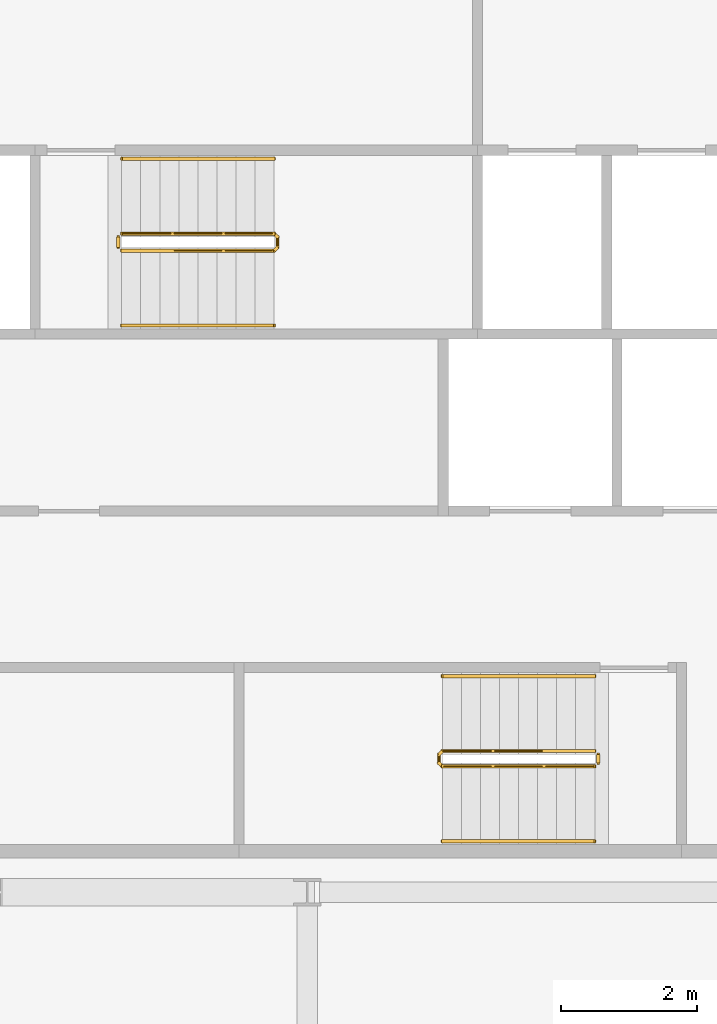
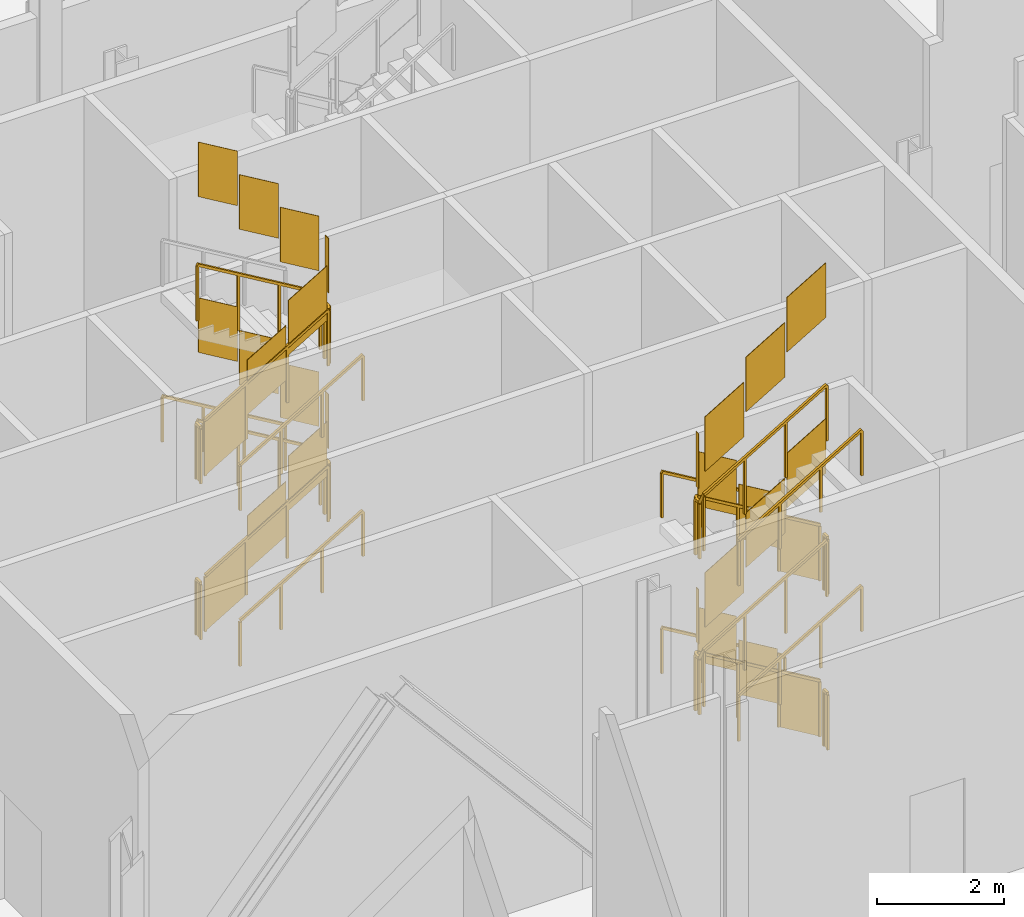
# One storey, part 17 of 18: 15 railings.
"""IFC4 building model written with IfcOpenShell, lengths in metres."""

from ifc_helpers import new_model, si_unit, direction, frame, origin, origin_2d, place, context, subcontext, project, spatial, polyline, rectangle, outline, extrude, material, type_object, element, save


model = new_model("IFC4")

# Units and contexts
model_context = context("Model", 3, precision=1e-05, world=origin(), true_north=direction((0.0, 1.0)))
body_context = subcontext(model_context, "Body", "Model", "MODEL_VIEW")
ifc_project = project(units=[si_unit("LENGTHUNIT", "METRE"), si_unit("AREAUNIT", "SQUARE_METRE"), si_unit("VOLUMEUNIT", "CUBIC_METRE"), si_unit("PLANEANGLEUNIT", "RADIAN"), si_unit("MASSUNIT", "GRAM", prefix="KILO")], contexts=[model_context])

# Site, building, storey
site_placement = place(None, origin())
site = spatial("IfcSite", under=ifc_project, at=site_placement, CompositionType="ELEMENT")
building_placement = place(site_placement, origin())
building = spatial("IfcBuilding", under=site, at=building_placement, Name="Cairn Pilgrim Tower", CompositionType="ELEMENT")
storey_placement = place(building_placement, frame((0.0, 0.0, 204.60009765625)))
storey = spatial("IfcBuildingStorey", under=building, at=storey_placement, Name="L52", CompositionType="ELEMENT", Elevation=204.60009765625)

# Railings
ifc_material = material(Name="Painted steel", Category="steel")
railing_type_1 = type_object("IfcRailingType", Name="STAIR GUARD 1100", PredefinedType="GUARDRAIL", material=ifc_material)
railing_1_placement = place(storey_placement, frame((11.425048828125, -3.925048828125, 0.16650390625)))
element("IfcRailing", 1, at=railing_1_placement, inside=storey, type_object=railing_type_1, Name="L52 ST-A stair guard 1", PredefinedType="GUARDRAIL", context=body_context, shape_type="SweptSolid", body=[
    extrude(rectangle(XDim=0.048095703125, YDim=0.048095703125, at=origin_2d()), frame((0.0, 0.0, 1.076171875), z_axis=(-0.859264461869, 0.0, 0.511531606619), x_axis=(0.0, -1.0, 0.0)), (0.0, 0.0, 1.0), 2.60693359375),
    extrude(rectangle(XDim=0.048095703125, YDim=0.048095703125, at=origin_2d()), frame((-2.239990234375, 0.0, 2.40966796875), z_axis=(-0.707106781187, -0.707106781187, 0.0), x_axis=(0.707106781187, -0.707106781187, 0.0)), (0.0, 0.0, 1.0), 0.07080078125),
    extrude(rectangle(XDim=0.048095703125, YDim=0.048095703125, at=origin_2d()), frame((-2.2900390625, -0.050048828125, 2.40966796875), z_axis=(0.0, -1.0, 0.0), x_axis=(1.0, 0.0, 0.0)), (0.0, 0.0, 1.0), 0.125),
    extrude(rectangle(XDim=0.048095703125, YDim=0.048095703125, at=origin_2d()), frame((-2.2900390625, -0.175048828125, 2.40966796875), z_axis=(0.276732813696, -0.275382897532, 0.920642824102), x_axis=(0.705375805398, 0.708833529934, 0.0)), (0.0, 0.0, 1.0), 0.180908203125),
    extrude(rectangle(XDim=0.048095703125, YDim=0.048095703125, at=origin_2d()), frame((-2.239990234375, -0.224853515625, 2.576171875), z_axis=(0.859264461869, 0.0, 0.511531606619), x_axis=(0.0, 1.0, 0.0)), (0.0, 0.0, 1.0), 2.60693359375),
    extrude(rectangle(XDim=0.0419921875, YDim=0.0419921875, at=origin_2d()), origin(), (0.0, 0.0, 1.0), 1.052001953125),
    extrude(rectangle(XDim=0.0419921875, YDim=0.0419921875, at=origin_2d()), frame((-0.74658203125, 0.0, 0.444580078125)), (0.0, 0.0, 1.0), 1.052001953125),
    extrude(rectangle(XDim=0.0419921875, YDim=0.0419921875, at=origin_2d()), frame((-1.493408203125, 0.0, 0.888916015625)), (0.0, 0.0, 1.0), 1.052001953125),
    extrude(rectangle(XDim=0.0419921875, YDim=0.0419921875, at=origin_2d()), frame((-2.239990234375, 0.0, 1.33349609375)), (0.0, 0.0, 1.0), 1.052001953125),
    extrude(rectangle(XDim=0.0419921875, YDim=0.0419921875, at=origin_2d()), frame((-2.2900390625, -0.050048828125, 1.33349609375)), (0.0, 0.0, 1.0), 1.052001953125),
    extrude(rectangle(XDim=0.0419921875, YDim=0.0419921875, at=origin_2d()), frame((-2.2900390625, -0.175048828125, 1.33349609375)), (0.0, 0.0, 1.0), 1.052001953125),
    extrude(rectangle(XDim=0.0419921875, YDim=0.0419921875, at=origin_2d()), frame((-2.239990234375, -0.224853515625, 1.5)), (0.0, 0.0, 1.0), 1.052001953125),
    extrude(rectangle(XDim=0.0419921875, YDim=0.0419921875, at=origin_2d()), frame((-1.493408203125, -0.224853515625, 1.944580078125)), (0.0, 0.0, 1.0), 1.052001953125),
    extrude(rectangle(XDim=0.0419921875, YDim=0.0419921875, at=origin_2d()), frame((-0.74658203125, -0.224853515625, 2.388916015625)), (0.0, 0.0, 1.0), 1.052001953125),
    extrude(rectangle(XDim=0.0419921875, YDim=0.0419921875, at=origin_2d()), frame((0.0, -0.224853515625, 2.83349609375)), (0.0, 0.0, 1.0), 1.052001953125),
    extrude(outline(polyline([(0.02099609375, 0.012451171875), (0.7255859375, 0.431884765625), (0.7255859375, 1.48388671875), (0.02099609375, 1.064453125), (0.02099609375, 0.012451171875)])), frame((0.0, -0.005859375, 0.0), z_axis=(0.0, 1.0, 0.0), x_axis=(-1.0, 0.0, 0.0)), (0.0, 0.0, 1.0), 0.011962890625),
    extrude(outline(polyline([(0.02099609375, 0.45703125), (0.7255859375, 0.87646484375), (0.7255859375, 1.928466796875), (0.02099609375, 1.509033203125), (0.02099609375, 0.45703125)])), frame((-0.74658203125, -0.005859375, 0.444580078125), z_axis=(0.0, 1.0, 0.0), x_axis=(-1.0, 0.0, 0.0)), (0.0, 0.0, 1.0), 0.011962890625),
    extrude(outline(polyline([(0.02099609375, 0.901611328125), (0.7255859375, 1.321044921875), (0.7255859375, 2.373046875), (0.02099609375, 1.95361328125), (0.02099609375, 0.901611328125)])), frame((-1.493408203125, -0.005859375, 0.888916015625), z_axis=(0.0, 1.0, 0.0), x_axis=(-1.0, 0.0, 0.0)), (0.0, 0.0, 1.0), 0.011962890625),
    extrude(outline(polyline([(0.02099609375, 1.33349609375), (0.10400390625, 1.33349609375), (0.10400390625, 2.385498046875), (0.02099609375, 2.385498046875), (0.02099609375, 1.33349609375)])), frame((-2.2841796875, -0.050048828125, 1.33349609375), z_axis=(-1.0, 0.0, 0.0), x_axis=(0.0, -1.0, 0.0)), (0.0, 0.0, 1.0), 0.011962890625),
    extrude(outline(polyline([(0.02099609375, 1.512451171875), (0.7255859375, 1.931884765625), (0.7255859375, 2.98388671875), (0.02099609375, 2.564453125), (0.02099609375, 1.512451171875)])), frame((-2.239990234375, -0.21875, 1.5), z_axis=(0.0, -1.0, 0.0), x_axis=(1.0, 0.0, 0.0)), (0.0, 0.0, 1.0), 0.011962890625),
    extrude(outline(polyline([(0.02099609375, 1.95703125), (0.7255859375, 2.37646484375), (0.7255859375, 3.428466796875), (0.02099609375, 3.009033203125), (0.02099609375, 1.95703125)])), frame((-1.493408203125, -0.21875, 1.944580078125), z_axis=(0.0, -1.0, 0.0), x_axis=(1.0, 0.0, 0.0)), (0.0, 0.0, 1.0), 0.011962890625),
    extrude(outline(polyline([(0.02099609375, 2.401611328125), (0.7255859375, 2.821044921875), (0.7255859375, 3.873046875), (0.02099609375, 3.45361328125), (0.02099609375, 2.401611328125)])), frame((-0.74658203125, -0.21875, 2.388916015625), z_axis=(0.0, -1.0, 0.0), x_axis=(1.0, 0.0, 0.0)), (0.0, 0.0, 1.0), 0.011962890625),
])
railing_2_placement = place(storey_placement, frame((11.47509765625, -3.97509765625, 3.0)))
element("IfcRailing", 2, at=railing_2_placement, inside=storey, type_object=railing_type_1, Name="L52 ST-A stair guard 2", PredefinedType="GUARDRAIL", context=body_context, shape_type="SweptSolid", body=[
    extrude(rectangle(XDim=0.048095703125, YDim=0.048095703125, at=origin_2d()), frame((0.0, 0.0, 1.076171875), z_axis=(0.0, -1.0, 0.0), x_axis=(1.0, 0.0, 0.0)), (0.0, 0.0, 1.0), 0.125),
    extrude(rectangle(XDim=0.0419921875, YDim=0.0419921875, at=origin_2d()), origin(), (0.0, 0.0, 1.0), 1.052001953125),
    extrude(rectangle(XDim=0.0419921875, YDim=0.0419921875, at=origin_2d()), frame((0.0, -0.125, 0.0)), (0.0, 0.0, 1.0), 1.052001953125),
    extrude(outline(polyline([(0.02099609375, 0.0), (0.10400390625, 0.0), (0.10400390625, 1.052001953125), (0.02099609375, 1.052001953125), (0.02099609375, 0.0)])), frame((0.005859375, 0.0, 0.0), z_axis=(-1.0, 0.0, 0.0), x_axis=(0.0, -1.0, 0.0)), (0.0, 0.0, 1.0), 0.011962890625),
])
railing_3_placement = place(storey_placement, frame((11.425048828125, -3.925048828125, 3.16650390625)))
element("IfcRailing", 3, at=railing_3_placement, inside=storey, type_object=railing_type_1, Name="L52 ST-A stair guard 3", PredefinedType="GUARDRAIL", context=body_context, shape_type="SweptSolid", body=[
    extrude(rectangle(XDim=0.048095703125, YDim=0.048095703125, at=origin_2d()), frame((0.0, 0.0, 1.076171875), z_axis=(-0.859264461869, 0.0, 0.511531606619), x_axis=(0.0, -1.0, 0.0)), (0.0, 0.0, 1.0), 2.60693359375),
    extrude(rectangle(XDim=0.048095703125, YDim=0.048095703125, at=origin_2d()), frame((-2.239990234375, 0.0, 2.40966796875), z_axis=(-0.707106781187, -0.707106781187, 0.0), x_axis=(0.707106781187, -0.707106781187, 0.0)), (0.0, 0.0, 1.0), 0.07080078125),
    extrude(rectangle(XDim=0.048095703125, YDim=0.048095703125, at=origin_2d()), frame((-2.2900390625, -0.050048828125, 2.40966796875), z_axis=(0.0, -1.0, 0.0), x_axis=(1.0, 0.0, 0.0)), (0.0, 0.0, 1.0), 0.125),
    extrude(rectangle(XDim=0.048095703125, YDim=0.048095703125, at=origin_2d()), frame((-2.2900390625, -0.175048828125, 2.40966796875), z_axis=(0.276732813696, -0.275382897532, 0.920642824102), x_axis=(0.705375805398, 0.708833529934, 0.0)), (0.0, 0.0, 1.0), 0.180908203125),
    extrude(rectangle(XDim=0.048095703125, YDim=0.048095703125, at=origin_2d()), frame((-2.239990234375, -0.224853515625, 2.576171875), z_axis=(0.859264461869, 0.0, 0.511531606619), x_axis=(0.0, 1.0, 0.0)), (0.0, 0.0, 1.0), 2.60693359375),
    extrude(rectangle(XDim=0.0419921875, YDim=0.0419921875, at=origin_2d()), origin(), (0.0, 0.0, 1.0), 1.052001953125),
    extrude(rectangle(XDim=0.0419921875, YDim=0.0419921875, at=origin_2d()), frame((-0.74658203125, 0.0, 0.444580078125)), (0.0, 0.0, 1.0), 1.052001953125),
    extrude(rectangle(XDim=0.0419921875, YDim=0.0419921875, at=origin_2d()), frame((-1.493408203125, 0.0, 0.888916015625)), (0.0, 0.0, 1.0), 1.052001953125),
    extrude(rectangle(XDim=0.0419921875, YDim=0.0419921875, at=origin_2d()), frame((-2.239990234375, 0.0, 1.33349609375)), (0.0, 0.0, 1.0), 1.052001953125),
    extrude(rectangle(XDim=0.0419921875, YDim=0.0419921875, at=origin_2d()), frame((-2.2900390625, -0.050048828125, 1.33349609375)), (0.0, 0.0, 1.0), 1.052001953125),
    extrude(rectangle(XDim=0.0419921875, YDim=0.0419921875, at=origin_2d()), frame((-2.2900390625, -0.175048828125, 1.33349609375)), (0.0, 0.0, 1.0), 1.052001953125),
    extrude(rectangle(XDim=0.0419921875, YDim=0.0419921875, at=origin_2d()), frame((-2.239990234375, -0.224853515625, 1.5)), (0.0, 0.0, 1.0), 1.052001953125),
    extrude(rectangle(XDim=0.0419921875, YDim=0.0419921875, at=origin_2d()), frame((-1.493408203125, -0.224853515625, 1.944580078125)), (0.0, 0.0, 1.0), 1.052001953125),
    extrude(rectangle(XDim=0.0419921875, YDim=0.0419921875, at=origin_2d()), frame((-0.74658203125, -0.224853515625, 2.388916015625)), (0.0, 0.0, 1.0), 1.052001953125),
    extrude(rectangle(XDim=0.0419921875, YDim=0.0419921875, at=origin_2d()), frame((0.0, -0.224853515625, 2.83349609375)), (0.0, 0.0, 1.0), 1.052001953125),
    extrude(outline(polyline([(0.02099609375, 0.012451171875), (0.7255859375, 0.431884765625), (0.7255859375, 1.48388671875), (0.02099609375, 1.064453125), (0.02099609375, 0.012451171875)])), frame((0.0, -0.005859375, 0.0), z_axis=(0.0, 1.0, 0.0), x_axis=(-1.0, 0.0, 0.0)), (0.0, 0.0, 1.0), 0.011962890625),
    extrude(outline(polyline([(0.02099609375, 0.45703125), (0.7255859375, 0.87646484375), (0.7255859375, 1.928466796875), (0.02099609375, 1.509033203125), (0.02099609375, 0.45703125)])), frame((-0.74658203125, -0.005859375, 0.444580078125), z_axis=(0.0, 1.0, 0.0), x_axis=(-1.0, 0.0, 0.0)), (0.0, 0.0, 1.0), 0.011962890625),
    extrude(outline(polyline([(0.02099609375, 0.901611328125), (0.7255859375, 1.321044921875), (0.7255859375, 2.373046875), (0.02099609375, 1.95361328125), (0.02099609375, 0.901611328125)])), frame((-1.493408203125, -0.005859375, 0.888916015625), z_axis=(0.0, 1.0, 0.0), x_axis=(-1.0, 0.0, 0.0)), (0.0, 0.0, 1.0), 0.011962890625),
    extrude(outline(polyline([(0.02099609375, 1.33349609375), (0.10400390625, 1.33349609375), (0.10400390625, 2.385498046875), (0.02099609375, 2.385498046875), (0.02099609375, 1.33349609375)])), frame((-2.2841796875, -0.050048828125, 1.33349609375), z_axis=(-1.0, 0.0, 0.0), x_axis=(0.0, -1.0, 0.0)), (0.0, 0.0, 1.0), 0.011962890625),
    extrude(outline(polyline([(0.02099609375, 1.512451171875), (0.7255859375, 1.931884765625), (0.7255859375, 2.98388671875), (0.02099609375, 2.564453125), (0.02099609375, 1.512451171875)])), frame((-2.239990234375, -0.21875, 1.5), z_axis=(0.0, -1.0, 0.0), x_axis=(1.0, 0.0, 0.0)), (0.0, 0.0, 1.0), 0.011962890625),
    extrude(outline(polyline([(0.02099609375, 1.95703125), (0.7255859375, 2.37646484375), (0.7255859375, 3.428466796875), (0.02099609375, 3.009033203125), (0.02099609375, 1.95703125)])), frame((-1.493408203125, -0.21875, 1.944580078125), z_axis=(0.0, -1.0, 0.0), x_axis=(1.0, 0.0, 0.0)), (0.0, 0.0, 1.0), 0.011962890625),
    extrude(outline(polyline([(0.02099609375, 2.401611328125), (0.7255859375, 2.821044921875), (0.7255859375, 3.873046875), (0.02099609375, 3.45361328125), (0.02099609375, 2.401611328125)])), frame((-0.74658203125, -0.21875, 2.388916015625), z_axis=(0.0, -1.0, 0.0), x_axis=(1.0, 0.0, 0.0)), (0.0, 0.0, 1.0), 0.011962890625),
])
railing_4_placement = place(storey_placement, frame((11.47509765625, -3.97509765625, 0.0)))
element("IfcRailing", 4, at=railing_4_placement, inside=storey, type_object=railing_type_1, Name="L52 ST-A stair guard 4", PredefinedType="GUARDRAIL", context=body_context, shape_type="SweptSolid", body=[
    extrude(rectangle(XDim=0.048095703125, YDim=0.048095703125, at=origin_2d()), frame((0.0, 0.0, 1.076171875), z_axis=(0.0, -1.0, 0.0), x_axis=(1.0, 0.0, 0.0)), (0.0, 0.0, 1.0), 0.125),
    extrude(rectangle(XDim=0.0419921875, YDim=0.0419921875, at=origin_2d()), origin(), (0.0, 0.0, 1.0), 1.052001953125),
    extrude(rectangle(XDim=0.0419921875, YDim=0.0419921875, at=origin_2d()), frame((0.0, -0.125, 0.0)), (0.0, 0.0, 1.0), 1.052001953125),
    extrude(outline(polyline([(0.02099609375, 0.0), (0.10400390625, 0.0), (0.10400390625, 1.052001953125), (0.02099609375, 1.052001953125), (0.02099609375, 0.0)])), frame((0.005859375, 0.0, 0.0), z_axis=(-1.0, 0.0, 0.0), x_axis=(0.0, -1.0, 0.0)), (0.0, 0.0, 1.0), 0.011962890625),
])
railing_5_placement = place(storey_placement, frame((4.47509765625, 3.425048828125, 0.16650390625)))
element("IfcRailing", 5, at=railing_5_placement, inside=storey, type_object=railing_type_1, Name="L52 ST-B stair guard 1", PredefinedType="GUARDRAIL", context=body_context, shape_type="SweptSolid", body=[
    extrude(rectangle(XDim=0.048095703125, YDim=0.048095703125, at=origin_2d()), frame((0.0, 0.0, 1.076171875), z_axis=(0.859264461869, 0.0, 0.511531606619), x_axis=(0.0, 1.0, 0.0)), (0.0, 0.0, 1.0), 2.60693359375),
    extrude(rectangle(XDim=0.048095703125, YDim=0.048095703125, at=origin_2d()), frame((2.239990234375, 0.0, 2.40966796875), z_axis=(0.705375805398, 0.708833529934, 0.0), x_axis=(-0.708833529934, 0.705375805398, 0.0)), (0.0, 0.0, 1.0), 0.070556640625),
    extrude(rectangle(XDim=0.048095703125, YDim=0.048095703125, at=origin_2d()), frame((2.289794921875, 0.050048828125, 2.40966796875), z_axis=(0.0, 1.0, 0.0), x_axis=(-1.0, 0.0, 0.0)), (0.0, 0.0, 1.0), 0.14990234375),
    extrude(rectangle(XDim=0.048095703125, YDim=0.048095703125, at=origin_2d()), frame((2.289794921875, 0.199951171875, 2.40966796875), z_axis=(-0.275382897532, 0.276732813696, 0.920642824102), x_axis=(-0.708833529934, -0.705375805398, 0.0)), (0.0, 0.0, 1.0), 0.180908203125),
    extrude(rectangle(XDim=0.048095703125, YDim=0.048095703125, at=origin_2d()), frame((2.239990234375, 0.25, 2.576171875), z_axis=(-0.859264461869, 0.0, 0.511531606619), x_axis=(0.0, -1.0, 0.0)), (0.0, 0.0, 1.0), 2.60693359375),
    extrude(rectangle(XDim=0.0419921875, YDim=0.0419921875, at=origin_2d()), origin(), (0.0, 0.0, 1.0), 1.052001953125),
    extrude(rectangle(XDim=0.0419921875, YDim=0.0419921875, at=origin_2d()), frame((0.74658203125, 0.0, 0.444580078125)), (0.0, 0.0, 1.0), 1.052001953125),
    extrude(rectangle(XDim=0.0419921875, YDim=0.0419921875, at=origin_2d()), frame((1.493408203125, 0.0, 0.888916015625)), (0.0, 0.0, 1.0), 1.052001953125),
    extrude(rectangle(XDim=0.0419921875, YDim=0.0419921875, at=origin_2d()), frame((2.239990234375, 0.0, 1.33349609375)), (0.0, 0.0, 1.0), 1.052001953125),
    extrude(rectangle(XDim=0.0419921875, YDim=0.0419921875, at=origin_2d()), frame((2.289794921875, 0.050048828125, 1.33349609375)), (0.0, 0.0, 1.0), 1.052001953125),
    extrude(rectangle(XDim=0.0419921875, YDim=0.0419921875, at=origin_2d()), frame((2.289794921875, 0.199951171875, 1.33349609375)), (0.0, 0.0, 1.0), 1.052001953125),
    extrude(rectangle(XDim=0.0419921875, YDim=0.0419921875, at=origin_2d()), frame((2.239990234375, 0.25, 1.5)), (0.0, 0.0, 1.0), 1.052001953125),
    extrude(rectangle(XDim=0.0419921875, YDim=0.0419921875, at=origin_2d()), frame((1.493408203125, 0.25, 1.944580078125)), (0.0, 0.0, 1.0), 1.052001953125),
    extrude(rectangle(XDim=0.0419921875, YDim=0.0419921875, at=origin_2d()), frame((0.74658203125, 0.25, 2.388916015625)), (0.0, 0.0, 1.0), 1.052001953125),
    extrude(rectangle(XDim=0.0419921875, YDim=0.0419921875, at=origin_2d()), frame((0.0, 0.25, 2.83349609375)), (0.0, 0.0, 1.0), 1.052001953125),
    extrude(outline(polyline([(0.02099609375, 0.012451171875), (0.7255859375, 0.431884765625), (0.7255859375, 1.48388671875), (0.02099609375, 1.064453125), (0.02099609375, 0.012451171875)])), frame((0.0, 0.005859375, 0.0), z_axis=(0.0, -1.0, 0.0), x_axis=(1.0, 0.0, 0.0)), (0.0, 0.0, 1.0), 0.011962890625),
    extrude(outline(polyline([(0.02099609375, 0.45703125), (0.7255859375, 0.87646484375), (0.7255859375, 1.928466796875), (0.02099609375, 1.509033203125), (0.02099609375, 0.45703125)])), frame((0.74658203125, 0.005859375, 0.444580078125), z_axis=(0.0, -1.0, 0.0), x_axis=(1.0, 0.0, 0.0)), (0.0, 0.0, 1.0), 0.011962890625),
    extrude(outline(polyline([(0.02099609375, 0.901611328125), (0.7255859375, 1.321044921875), (0.7255859375, 2.373046875), (0.02099609375, 1.95361328125), (0.02099609375, 0.901611328125)])), frame((1.493408203125, 0.005859375, 0.888916015625), z_axis=(0.0, -1.0, 0.0), x_axis=(1.0, 0.0, 0.0)), (0.0, 0.0, 1.0), 0.011962890625),
    extrude(outline(polyline([(0.02099609375, 1.33349609375), (0.12890625, 1.33349609375), (0.12890625, 2.385498046875), (0.02099609375, 2.385498046875), (0.02099609375, 1.33349609375)])), frame((2.28369140625, 0.050048828125, 1.33349609375), z_axis=(1.0, 0.0, 0.0), x_axis=(0.0, 1.0, 0.0)), (0.0, 0.0, 1.0), 0.011962890625),
    extrude(outline(polyline([(0.02099609375, 1.512451171875), (0.7255859375, 1.931884765625), (0.7255859375, 2.98388671875), (0.02099609375, 2.564453125), (0.02099609375, 1.512451171875)])), frame((2.239990234375, 0.244140625, 1.5), z_axis=(0.0, 1.0, 0.0), x_axis=(-1.0, 0.0, 0.0)), (0.0, 0.0, 1.0), 0.011962890625),
    extrude(outline(polyline([(0.02099609375, 1.95703125), (0.7255859375, 2.37646484375), (0.7255859375, 3.428466796875), (0.02099609375, 3.009033203125), (0.02099609375, 1.95703125)])), frame((1.493408203125, 0.244140625, 1.944580078125), z_axis=(0.0, 1.0, 0.0), x_axis=(-1.0, 0.0, 0.0)), (0.0, 0.0, 1.0), 0.011962890625),
    extrude(outline(polyline([(0.02099609375, 2.401611328125), (0.7255859375, 2.821044921875), (0.7255859375, 3.873046875), (0.02099609375, 3.45361328125), (0.02099609375, 2.401611328125)])), frame((0.74658203125, 0.244140625, 2.388916015625), z_axis=(0.0, 1.0, 0.0), x_axis=(-1.0, 0.0, 0.0)), (0.0, 0.0, 1.0), 0.011962890625),
])
railing_6_placement = place(storey_placement, frame((4.425048828125, 3.47509765625, 3.0)))
element("IfcRailing", 6, at=railing_6_placement, inside=storey, type_object=railing_type_1, Name="L52 ST-B stair guard 2", PredefinedType="GUARDRAIL", context=body_context, shape_type="SweptSolid", body=[
    extrude(rectangle(XDim=0.048095703125, YDim=0.048095703125, at=origin_2d()), frame((0.0, 0.0, 1.076171875), z_axis=(0.0, 1.0, 0.0), x_axis=(-1.0, 0.0, 0.0)), (0.0, 0.0, 1.0), 0.14990234375),
    extrude(rectangle(XDim=0.0419921875, YDim=0.0419921875, at=origin_2d()), origin(), (0.0, 0.0, 1.0), 1.052001953125),
    extrude(rectangle(XDim=0.0419921875, YDim=0.0419921875, at=origin_2d()), frame((0.0, 0.14990234375, 0.0)), (0.0, 0.0, 1.0), 1.052001953125),
    extrude(outline(polyline([(0.02099609375, 0.0), (0.12890625, 0.0), (0.12890625, 1.052001953125), (0.02099609375, 1.052001953125), (0.02099609375, 0.0)])), frame((-0.005859375, 0.0, 0.0), z_axis=(1.0, 0.0, 0.0), x_axis=(0.0, 1.0, 0.0)), (0.0, 0.0, 1.0), 0.011962890625),
])
railing_7_placement = place(storey_placement, frame((4.47509765625, 3.425048828125, 3.16650390625)))
element("IfcRailing", 7, at=railing_7_placement, inside=storey, type_object=railing_type_1, Name="L52 ST-B stair guard 3", PredefinedType="GUARDRAIL", context=body_context, shape_type="SweptSolid", body=[
    extrude(rectangle(XDim=0.048095703125, YDim=0.048095703125, at=origin_2d()), frame((0.0, 0.0, 1.076171875), z_axis=(0.859264461869, 0.0, 0.511531606619), x_axis=(0.0, 1.0, 0.0)), (0.0, 0.0, 1.0), 2.60693359375),
    extrude(rectangle(XDim=0.048095703125, YDim=0.048095703125, at=origin_2d()), frame((2.239990234375, 0.0, 2.40966796875), z_axis=(0.705375805398, 0.708833529934, 0.0), x_axis=(-0.708833529934, 0.705375805398, 0.0)), (0.0, 0.0, 1.0), 0.070556640625),
    extrude(rectangle(XDim=0.048095703125, YDim=0.048095703125, at=origin_2d()), frame((2.289794921875, 0.050048828125, 2.40966796875), z_axis=(0.0, 1.0, 0.0), x_axis=(-1.0, 0.0, 0.0)), (0.0, 0.0, 1.0), 0.14990234375),
    extrude(rectangle(XDim=0.048095703125, YDim=0.048095703125, at=origin_2d()), frame((2.289794921875, 0.199951171875, 2.40966796875), z_axis=(-0.275382897532, 0.276732813696, 0.920642824102), x_axis=(-0.708833529934, -0.705375805398, 0.0)), (0.0, 0.0, 1.0), 0.180908203125),
    extrude(rectangle(XDim=0.048095703125, YDim=0.048095703125, at=origin_2d()), frame((2.239990234375, 0.25, 2.576171875), z_axis=(-0.859264461869, 0.0, 0.511531606619), x_axis=(0.0, -1.0, 0.0)), (0.0, 0.0, 1.0), 2.60693359375),
    extrude(rectangle(XDim=0.0419921875, YDim=0.0419921875, at=origin_2d()), origin(), (0.0, 0.0, 1.0), 1.052001953125),
    extrude(rectangle(XDim=0.0419921875, YDim=0.0419921875, at=origin_2d()), frame((0.74658203125, 0.0, 0.444580078125)), (0.0, 0.0, 1.0), 1.052001953125),
    extrude(rectangle(XDim=0.0419921875, YDim=0.0419921875, at=origin_2d()), frame((1.493408203125, 0.0, 0.888916015625)), (0.0, 0.0, 1.0), 1.052001953125),
    extrude(rectangle(XDim=0.0419921875, YDim=0.0419921875, at=origin_2d()), frame((2.239990234375, 0.0, 1.33349609375)), (0.0, 0.0, 1.0), 1.052001953125),
    extrude(rectangle(XDim=0.0419921875, YDim=0.0419921875, at=origin_2d()), frame((2.289794921875, 0.050048828125, 1.33349609375)), (0.0, 0.0, 1.0), 1.052001953125),
    extrude(rectangle(XDim=0.0419921875, YDim=0.0419921875, at=origin_2d()), frame((2.289794921875, 0.199951171875, 1.33349609375)), (0.0, 0.0, 1.0), 1.052001953125),
    extrude(rectangle(XDim=0.0419921875, YDim=0.0419921875, at=origin_2d()), frame((2.239990234375, 0.25, 1.5)), (0.0, 0.0, 1.0), 1.052001953125),
    extrude(rectangle(XDim=0.0419921875, YDim=0.0419921875, at=origin_2d()), frame((1.493408203125, 0.25, 1.944580078125)), (0.0, 0.0, 1.0), 1.052001953125),
    extrude(rectangle(XDim=0.0419921875, YDim=0.0419921875, at=origin_2d()), frame((0.74658203125, 0.25, 2.388916015625)), (0.0, 0.0, 1.0), 1.052001953125),
    extrude(rectangle(XDim=0.0419921875, YDim=0.0419921875, at=origin_2d()), frame((0.0, 0.25, 2.83349609375)), (0.0, 0.0, 1.0), 1.052001953125),
    extrude(outline(polyline([(0.02099609375, 0.012451171875), (0.7255859375, 0.431884765625), (0.7255859375, 1.48388671875), (0.02099609375, 1.064453125), (0.02099609375, 0.012451171875)])), frame((0.0, 0.005859375, 0.0), z_axis=(0.0, -1.0, 0.0), x_axis=(1.0, 0.0, 0.0)), (0.0, 0.0, 1.0), 0.011962890625),
    extrude(outline(polyline([(0.02099609375, 0.45703125), (0.7255859375, 0.87646484375), (0.7255859375, 1.928466796875), (0.02099609375, 1.509033203125), (0.02099609375, 0.45703125)])), frame((0.74658203125, 0.005859375, 0.444580078125), z_axis=(0.0, -1.0, 0.0), x_axis=(1.0, 0.0, 0.0)), (0.0, 0.0, 1.0), 0.011962890625),
    extrude(outline(polyline([(0.02099609375, 0.901611328125), (0.7255859375, 1.321044921875), (0.7255859375, 2.373046875), (0.02099609375, 1.95361328125), (0.02099609375, 0.901611328125)])), frame((1.493408203125, 0.005859375, 0.888916015625), z_axis=(0.0, -1.0, 0.0), x_axis=(1.0, 0.0, 0.0)), (0.0, 0.0, 1.0), 0.011962890625),
    extrude(outline(polyline([(0.02099609375, 1.33349609375), (0.12890625, 1.33349609375), (0.12890625, 2.385498046875), (0.02099609375, 2.385498046875), (0.02099609375, 1.33349609375)])), frame((2.28369140625, 0.050048828125, 1.33349609375), z_axis=(1.0, 0.0, 0.0), x_axis=(0.0, 1.0, 0.0)), (0.0, 0.0, 1.0), 0.011962890625),
    extrude(outline(polyline([(0.02099609375, 1.512451171875), (0.7255859375, 1.931884765625), (0.7255859375, 2.98388671875), (0.02099609375, 2.564453125), (0.02099609375, 1.512451171875)])), frame((2.239990234375, 0.244140625, 1.5), z_axis=(0.0, 1.0, 0.0), x_axis=(-1.0, 0.0, 0.0)), (0.0, 0.0, 1.0), 0.011962890625),
    extrude(outline(polyline([(0.02099609375, 1.95703125), (0.7255859375, 2.37646484375), (0.7255859375, 3.428466796875), (0.02099609375, 3.009033203125), (0.02099609375, 1.95703125)])), frame((1.493408203125, 0.244140625, 1.944580078125), z_axis=(0.0, 1.0, 0.0), x_axis=(-1.0, 0.0, 0.0)), (0.0, 0.0, 1.0), 0.011962890625),
    extrude(outline(polyline([(0.02099609375, 2.401611328125), (0.7255859375, 2.821044921875), (0.7255859375, 3.873046875), (0.02099609375, 3.45361328125), (0.02099609375, 2.401611328125)])), frame((0.74658203125, 0.244140625, 2.388916015625), z_axis=(0.0, 1.0, 0.0), x_axis=(-1.0, 0.0, 0.0)), (0.0, 0.0, 1.0), 0.011962890625),
])
railing_8_placement = place(storey_placement, frame((4.425048828125, 3.47509765625, 0.0)))
element("IfcRailing", 8, at=railing_8_placement, inside=storey, type_object=railing_type_1, Name="L52 ST-B stair guard 4", PredefinedType="GUARDRAIL", context=body_context, shape_type="SweptSolid", body=[
    extrude(rectangle(XDim=0.048095703125, YDim=0.048095703125, at=origin_2d()), frame((0.0, 0.0, 1.076171875), z_axis=(0.0, 1.0, 0.0), x_axis=(-1.0, 0.0, 0.0)), (0.0, 0.0, 1.0), 0.14990234375),
    extrude(rectangle(XDim=0.0419921875, YDim=0.0419921875, at=origin_2d()), origin(), (0.0, 0.0, 1.0), 1.052001953125),
    extrude(rectangle(XDim=0.0419921875, YDim=0.0419921875, at=origin_2d()), frame((0.0, 0.14990234375, 0.0)), (0.0, 0.0, 1.0), 1.052001953125),
    extrude(outline(polyline([(0.02099609375, 0.0), (0.12890625, 0.0), (0.12890625, 1.052001953125), (0.02099609375, 1.052001953125), (0.02099609375, 0.0)])), frame((-0.005859375, 0.0, 0.0), z_axis=(1.0, 0.0, 0.0), x_axis=(0.0, 1.0, 0.0)), (0.0, 0.0, 1.0), 0.011962890625),
])
railing_type_2 = type_object("IfcRailingType", Name="STAIR HANDRAIL 900", PredefinedType="HANDRAIL", material=ifc_material)
railing_9_placement = place(storey_placement, frame((11.425048828125, -2.824951171875, 0.16650390625)))
element("IfcRailing", 9, at=railing_9_placement, inside=storey, type_object=railing_type_2, Name="L52 ST-A stair handrail 1", PredefinedType="HANDRAIL", context=body_context, shape_type="SweptSolid", body=[
    extrude(rectangle(XDim=0.048095703125, YDim=0.048095703125, at=origin_2d()), frame((0.0, 0.0, 0.8759765625), z_axis=(-0.859264461869, 0.0, 0.511531606619), x_axis=(0.0, -1.0, 0.0)), (0.0, 0.0, 1.0), 2.60693359375),
    extrude(rectangle(XDim=0.0419921875, YDim=0.0419921875, at=origin_2d()), origin(), (0.0, 0.0, 1.0), 0.851806640625),
    extrude(rectangle(XDim=0.0419921875, YDim=0.0419921875, at=origin_2d()), frame((-0.74658203125, 0.0, 0.444580078125)), (0.0, 0.0, 1.0), 0.851806640625),
    extrude(rectangle(XDim=0.0419921875, YDim=0.0419921875, at=origin_2d()), frame((-1.493408203125, 0.0, 0.888916015625)), (0.0, 0.0, 1.0), 0.851806640625),
    extrude(rectangle(XDim=0.0419921875, YDim=0.0419921875, at=origin_2d()), frame((-2.239990234375, 0.0, 1.33349609375)), (0.0, 0.0, 1.0), 0.851806640625),
])
railing_10_placement = place(storey_placement, frame((9.18505859375, -5.25, 1.66650390625)))
element("IfcRailing", 10, at=railing_10_placement, inside=storey, type_object=railing_type_2, Name="L52 ST-A stair handrail 2", PredefinedType="HANDRAIL", context=body_context, shape_type="SweptSolid", body=[
    extrude(rectangle(XDim=0.048095703125, YDim=0.048095703125, at=origin_2d()), frame((0.0, 0.0, 0.8759765625), z_axis=(0.859264461869, 0.0, 0.511531606619), x_axis=(0.0, 1.0, 0.0)), (0.0, 0.0, 1.0), 2.60693359375),
    extrude(rectangle(XDim=0.0419921875, YDim=0.0419921875, at=origin_2d()), origin(), (0.0, 0.0, 1.0), 0.851806640625),
    extrude(rectangle(XDim=0.0419921875, YDim=0.0419921875, at=origin_2d()), frame((0.74658203125, 0.0, 0.444580078125)), (0.0, 0.0, 1.0), 0.851806640625),
    extrude(rectangle(XDim=0.0419921875, YDim=0.0419921875, at=origin_2d()), frame((1.493408203125, 0.0, 0.888916015625)), (0.0, 0.0, 1.0), 0.851806640625),
    extrude(rectangle(XDim=0.0419921875, YDim=0.0419921875, at=origin_2d()), frame((2.239990234375, 0.0, 1.33349609375)), (0.0, 0.0, 1.0), 0.851806640625),
])
railing_11_placement = place(storey_placement, frame((11.425048828125, -2.824951171875, 3.16650390625)))
element("IfcRailing", 11, at=railing_11_placement, inside=storey, type_object=railing_type_2, Name="L52 ST-A stair handrail 3", PredefinedType="HANDRAIL", context=body_context, shape_type="SweptSolid", body=[
    extrude(rectangle(XDim=0.048095703125, YDim=0.048095703125, at=origin_2d()), frame((0.0, 0.0, 0.8759765625), z_axis=(-0.859264461869, 0.0, 0.511531606619), x_axis=(0.0, -1.0, 0.0)), (0.0, 0.0, 1.0), 2.60693359375),
    extrude(rectangle(XDim=0.0419921875, YDim=0.0419921875, at=origin_2d()), origin(), (0.0, 0.0, 1.0), 0.851806640625),
    extrude(rectangle(XDim=0.0419921875, YDim=0.0419921875, at=origin_2d()), frame((-0.74658203125, 0.0, 0.444580078125)), (0.0, 0.0, 1.0), 0.851806640625),
    extrude(rectangle(XDim=0.0419921875, YDim=0.0419921875, at=origin_2d()), frame((-1.493408203125, 0.0, 0.888916015625)), (0.0, 0.0, 1.0), 0.851806640625),
    extrude(rectangle(XDim=0.0419921875, YDim=0.0419921875, at=origin_2d()), frame((-2.239990234375, 0.0, 1.33349609375)), (0.0, 0.0, 1.0), 0.851806640625),
])
for number, where, name in (
    (12, (9.18505859375, -5.25, 4.66650390625), "L52 ST-A stair handrail 4"),
    (13, (4.47509765625, 2.324951171875, 0.16650390625), "L52 ST-B stair handrail 1"),
):
    element("IfcRailing", number, at=place(storey_placement, frame(where)), inside=storey, type_object=railing_type_2, Name=name, PredefinedType="HANDRAIL", context=body_context, shape_type="SweptSolid", body=[
        extrude(rectangle(XDim=0.048095703125, YDim=0.048095703125, at=origin_2d()), frame((0.0, 0.0, 0.8759765625), z_axis=(0.859264461869, 0.0, 0.511531606619), x_axis=(0.0, 1.0, 0.0)), (0.0, 0.0, 1.0), 2.60693359375),
        extrude(rectangle(XDim=0.0419921875, YDim=0.0419921875, at=origin_2d()), origin(), (0.0, 0.0, 1.0), 0.851806640625),
        extrude(rectangle(XDim=0.0419921875, YDim=0.0419921875, at=origin_2d()), frame((0.74658203125, 0.0, 0.444580078125)), (0.0, 0.0, 1.0), 0.851806640625),
        extrude(rectangle(XDim=0.0419921875, YDim=0.0419921875, at=origin_2d()), frame((1.493408203125, 0.0, 0.888916015625)), (0.0, 0.0, 1.0), 0.851806640625),
        extrude(rectangle(XDim=0.0419921875, YDim=0.0419921875, at=origin_2d()), frame((2.239990234375, 0.0, 1.33349609375)), (0.0, 0.0, 1.0), 0.851806640625),
    ])
railing_12_placement = place(storey_placement, frame((6.715087890625, 4.77490234375, 1.66650390625)))
element("IfcRailing", 14, at=railing_12_placement, inside=storey, type_object=railing_type_2, Name="L52 ST-B stair handrail 2", PredefinedType="HANDRAIL", context=body_context, shape_type="SweptSolid", body=[
    extrude(rectangle(XDim=0.048095703125, YDim=0.048095703125, at=origin_2d()), frame((0.0, 0.0, 0.8759765625), z_axis=(-0.859264461869, 0.0, 0.511531606619), x_axis=(0.0, -1.0, 0.0)), (0.0, 0.0, 1.0), 2.60693359375),
    extrude(rectangle(XDim=0.0419921875, YDim=0.0419921875, at=origin_2d()), origin(), (0.0, 0.0, 1.0), 0.851806640625),
    extrude(rectangle(XDim=0.0419921875, YDim=0.0419921875, at=origin_2d()), frame((-0.74658203125, 0.0, 0.444580078125)), (0.0, 0.0, 1.0), 0.851806640625),
    extrude(rectangle(XDim=0.0419921875, YDim=0.0419921875, at=origin_2d()), frame((-1.493408203125, 0.0, 0.888916015625)), (0.0, 0.0, 1.0), 0.851806640625),
    extrude(rectangle(XDim=0.0419921875, YDim=0.0419921875, at=origin_2d()), frame((-2.239990234375, 0.0, 1.33349609375)), (0.0, 0.0, 1.0), 0.851806640625),
])
railing_13_placement = place(storey_placement, frame((4.47509765625, 2.324951171875, 3.16650390625)))
element("IfcRailing", 15, at=railing_13_placement, inside=storey, type_object=railing_type_2, Name="L52 ST-B stair handrail 3", PredefinedType="HANDRAIL", context=body_context, shape_type="SweptSolid", body=[
    extrude(rectangle(XDim=0.048095703125, YDim=0.048095703125, at=origin_2d()), frame((0.0, 0.0, 0.8759765625), z_axis=(0.859264461869, 0.0, 0.511531606619), x_axis=(0.0, 1.0, 0.0)), (0.0, 0.0, 1.0), 2.60693359375),
    extrude(rectangle(XDim=0.0419921875, YDim=0.0419921875, at=origin_2d()), origin(), (0.0, 0.0, 1.0), 0.851806640625),
    extrude(rectangle(XDim=0.0419921875, YDim=0.0419921875, at=origin_2d()), frame((0.74658203125, 0.0, 0.444580078125)), (0.0, 0.0, 1.0), 0.851806640625),
    extrude(rectangle(XDim=0.0419921875, YDim=0.0419921875, at=origin_2d()), frame((1.493408203125, 0.0, 0.888916015625)), (0.0, 0.0, 1.0), 0.851806640625),
    extrude(rectangle(XDim=0.0419921875, YDim=0.0419921875, at=origin_2d()), frame((2.239990234375, 0.0, 1.33349609375)), (0.0, 0.0, 1.0), 0.851806640625),
])

save(model, "model.ifc")
